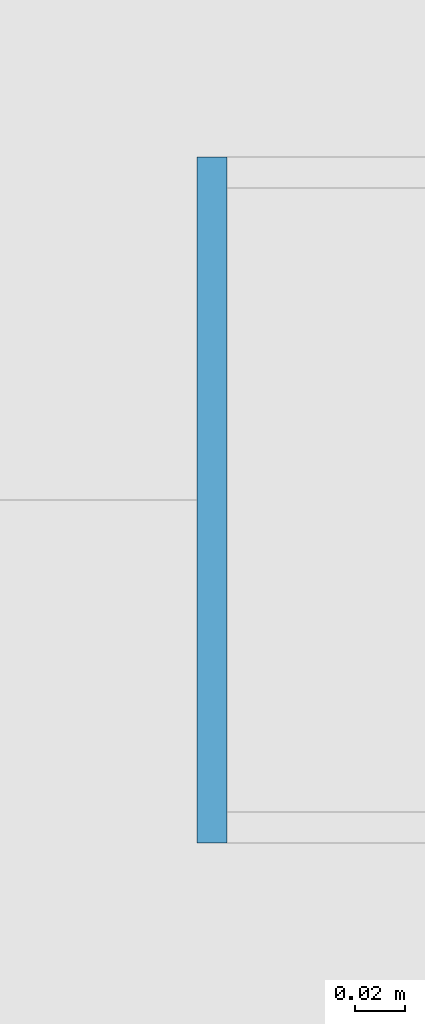
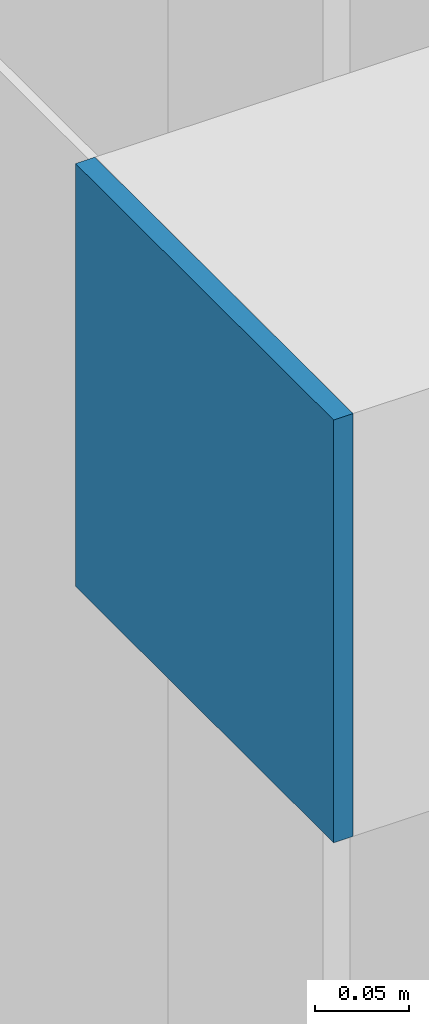
# One storey, part 46 of 58: 1 plate.
"""IFC4 building model written with IfcOpenShell, lengths in metres."""

import ifcopenshell
import ifcopenshell.guid

model = None  # the IFC model being written
_history = None  # IfcOwnerHistory: only IFC2X3 demands one
_inside = {}  # id of a spatial element -> (the spatial element, [elements in it])
_under = {}  # id of a project, library or spatial element -> (it, [spatial elements below it])
_declared = {}  # id of a project -> (the project, [libraries it declares])
_typed = {}  # id of a type object -> (the type object, [elements of that type])
_made_of = {}  # id of a material, layer set ... -> (it, [elements and type objects made of it])


def new_model(schema):
    """Start an empty IFC model of exactly this schema.

    Asked for "IFC4X3", IfcOpenShell would pick the latest addendum, in which some entities
    have other attributes; the version numbers below select the first issue.
    IFC2X3 requires an IfcOwnerHistory on every rooted entity: one is made here for all.
    """
    global model, _history
    if schema == "IFC4X3":
        model = ifcopenshell.file(schema_version=(4, 3, 0, 0))
    else:
        model = ifcopenshell.file(schema=schema)
    _inside.clear()
    _under.clear()
    _declared.clear()
    _typed.clear()
    _made_of.clear()
    _history = None
    if model.schema == "IFC2X3":
        org = make("IfcOrganization", Name="unknown")
        user = make(
            "IfcPersonAndOrganization",
            ThePerson=make("IfcPerson", FamilyName="unknown"),
            TheOrganization=org,
        )
        app = make(
            "IfcApplication",
            ApplicationDeveloper=org,
            Version="unknown",
            ApplicationFullName="unknown",
            ApplicationIdentifier="unknown",
        )
        _history = make(
            "IfcOwnerHistory",
            OwningUser=user,
            OwningApplication=app,
            ChangeAction="ADDED",
            CreationDate=0,
        )
    return model


def make(cls, **values):
    """One entity of the class cls with the attributes given. An attribute that is None is left unset."""
    return model.create_entity(
        cls, **{name: value for name, value in values.items() if value is not None}
    )


def rooted(cls, **values):
    """An entity with a GlobalId (a new one), such as an element, a storey or a relation."""
    return make(cls, GlobalId=ifcopenshell.guid.new(), OwnerHistory=_history, **values)


def si_unit(unit_type, name, prefix=None):
    """IfcSIUnit, for example si_unit("LENGTHUNIT", "METRE", prefix="MILLI")."""
    return make("IfcSIUnit", UnitType=unit_type, Prefix=prefix, Name=name)


def assignment(units):
    """IfcUnitAssignment: the units of a project."""
    return None if units is None else make("IfcUnitAssignment", Units=units)


def point(xyz):
    """IfcCartesianPoint."""
    return None if xyz is None else make("IfcCartesianPoint", Coordinates=xyz)


def direction(xyz):
    """IfcDirection."""
    return None if xyz is None else make("IfcDirection", DirectionRatios=xyz)


def frame(location, z_axis=None, x_axis=None):
    """IfcAxis2Placement3D, a coordinate frame: its origin and axes. An axis left out is left unset."""
    return make(
        "IfcAxis2Placement3D",
        Location=point(location),
        Axis=direction(z_axis),
        RefDirection=direction(x_axis),
    )


def frame_2d(location, x_axis=None):
    """IfcAxis2Placement2D, a coordinate frame in the plane: its origin and x axis."""
    return make(
        "IfcAxis2Placement2D", Location=point(location), RefDirection=direction(x_axis)
    )


def origin():
    """The frame at (0, 0, 0) with its axes left unset."""
    return frame((0.0, 0.0, 0.0))


def origin_2d():
    """The frame at (0, 0) in the plane with its x axis left unset."""
    return frame_2d((0.0, 0.0))


def place(relative_to, where):
    """IfcLocalPlacement: puts the frame where relative to a parent placement (None: the world)."""
    return make(
        "IfcLocalPlacement", PlacementRelTo=relative_to, RelativePlacement=where
    )


def context(
    kind, dimensions, precision=None, world=None, true_north=None, identifier=None
):
    """IfcGeometricRepresentationContext, for example the 3D "Model" context."""
    return make(
        "IfcGeometricRepresentationContext",
        ContextIdentifier=identifier,
        ContextType=kind,
        CoordinateSpaceDimension=dimensions,
        Precision=precision,
        WorldCoordinateSystem=world,
        TrueNorth=true_north,
    )


def subcontext(parent, identifier, kind, view, scale=None):
    """IfcGeometricRepresentationSubContext, for example "Body" below "Model"."""
    return make(
        "IfcGeometricRepresentationSubContext",
        ContextIdentifier=identifier,
        ContextType=kind,
        ParentContext=parent,
        TargetScale=scale,
        TargetView=view,
    )


def project(units=None, contexts=None):
    """IfcProject with its units and contexts."""
    return rooted(
        "IfcProject",
        Name="project",
        RepresentationContexts=contexts,
        UnitsInContext=assignment(units),
    )


def spatial(cls, under=None, at=None, **own):
    """A site, building, storey or space (cls), placed at a placement, below another one or the project."""
    s = rooted(cls, ObjectPlacement=at, **own)
    if under is not None:
        _under.setdefault(under.id(), (under, []))[1].append(s)
    return s


def profile(cls, at=None, kind="AREA", **sizes):
    """A parametric profile (cls). Its sizes go by their IFC names, for example OverallWidth=200.0."""
    return make(cls, ProfileType=kind, Position=at, **sizes)


def rectangle(**sizes):
    """IfcRectangleProfileDef."""
    return profile("IfcRectangleProfileDef", **sizes)


def extrude(swept, where, along, depth):
    """IfcExtrudedAreaSolid: the profile swept, set in the frame where, extruded along a direction by depth."""
    return make(
        "IfcExtrudedAreaSolid",
        SweptArea=swept,
        Position=where,
        ExtrudedDirection=direction(along),
        Depth=depth,
    )


def shape(context_of_items, identifier, shape_type, items):
    """IfcShapeRepresentation: the items that make up one representation, for example the "Body"."""
    return make(
        "IfcShapeRepresentation",
        ContextOfItems=context_of_items,
        RepresentationIdentifier=identifier,
        RepresentationType=shape_type,
        Items=items,
    )


def source(mapping_origin, context_of_items, identifier, shape_type, items):
    """IfcRepresentationMap: a shape defined once, which mapped items show again and again."""
    return make(
        "IfcRepresentationMap",
        MappingOrigin=mapping_origin,
        MappedRepresentation=shape(context_of_items, identifier, shape_type, items),
    )


def transform(
    local_origin,
    x_axis=None,
    y_axis=None,
    z_axis=None,
    scale=None,
    scale2=None,
    scale3=None,
    uniform=True,
):
    """IfcCartesianTransformationOperator3D, or its non-uniform kind. x_axis, y_axis, z_axis: its Axis1, 2, 3."""
    if uniform:
        return make(
            "IfcCartesianTransformationOperator3D",
            Axis1=direction(x_axis),
            Axis2=direction(y_axis),
            LocalOrigin=point(local_origin),
            Scale=scale,
            Axis3=direction(z_axis),
        )
    return make(
        "IfcCartesianTransformationOperator3DnonUniform",
        Axis1=direction(x_axis),
        Axis2=direction(y_axis),
        LocalOrigin=point(local_origin),
        Scale=scale,
        Axis3=direction(z_axis),
        Scale2=scale2,
        Scale3=scale3,
    )


def mapped(mapping_source, mapping_target):
    """IfcMappedItem: shows the shape of a source again, moved by a transform."""
    return make(
        "IfcMappedItem", MappingSource=mapping_source, MappingTarget=mapping_target
    )


def material(Name=None, Category=None):
    """IfcMaterial."""
    return make("IfcMaterial", Name=Name, Category=Category)


def layer(
    of_material, thickness, ventilated=None, Name=None, Category=None, Priority=None
):
    """IfcMaterialLayer: one layer of a wall or slab, of a material (None: an air gap)."""
    return make(
        "IfcMaterialLayer",
        Material=of_material,
        LayerThickness=thickness,
        IsVentilated=ventilated,
        Name=Name,
        Category=Category,
        Priority=Priority,
    )


def layer_set(layers, Name=None):
    """IfcMaterialLayerSet."""
    return make("IfcMaterialLayerSet", MaterialLayers=layers, LayerSetName=Name)


def made_of(thing, what):
    """Note that an element or type object is made of a material, layer set ...; save() writes the relation."""
    if what is not None:
        _made_of.setdefault(what.id(), (what, []))[1].append(thing)
    return thing


def type_object(cls, material=None, **own):
    """A type object (cls), such as IfcWallType, which elements share."""
    return made_of(rooted(cls, **own), material)


def element(
    cls,
    number,
    at=None,
    inside=None,
    cuts=None,
    type_object=None,
    material=None,
    context=None,
    identifier="Body",
    shape_type=None,
    held_by="IfcProductDefinitionShape",
    body=None,
    shapes=None,
    **own,
):
    """One element of the class cls, such as IfcWall. Its Tag is "e" and its number.

    at: its placement. inside: the storey or other place that contains it. cuts: it is an
    opening in that element (IfcRelVoidsElement). A single representation is given by context,
    identifier, shape_type and body (its items); several are given by shapes. held_by: the class
    of the entity that holds the representations. save() writes the other relations.
    """
    e = rooted(cls, Tag="e%d" % number, ObjectPlacement=at, **own)
    if body is not None:
        shapes = [shape(context, identifier, shape_type, body)]
    if shapes is not None:
        e.Representation = make(held_by, Representations=shapes)
    if inside is not None:
        _inside.setdefault(inside.id(), (inside, []))[1].append(e)
    if cuts is not None:
        rooted(
            "IfcRelVoidsElement", RelatingBuildingElement=cuts, RelatedOpeningElement=e
        )
    if type_object is not None:
        _typed.setdefault(type_object.id(), (type_object, []))[1].append(e)
    return made_of(e, material)


def aggregate(whole, parts):
    """IfcRelAggregates: a whole, such as a stair, and the parts it consists of."""
    return rooted("IfcRelAggregates", RelatingObject=whole, RelatedObjects=parts)


def save(model, path):
    """Write the relations noted so far, then the file.

    IfcRelAggregates (storeys below a building ...), IfcRelContainedInSpatialStructure (elements
    in a storey), IfcRelDefinesByType, IfcRelAssociatesMaterial and IfcRelDeclares: one each for
    every whole, place, type object, material and project.
    """
    for whole, parts in _under.values():
        aggregate(whole, parts)
    for where, things in _inside.values():
        rooted(
            "IfcRelContainedInSpatialStructure",
            RelatedElements=things,
            RelatingStructure=where,
        )
    for kind, things in _typed.values():
        rooted("IfcRelDefinesByType", RelatedObjects=things, RelatingType=kind)
    for what, things in _made_of.values():
        rooted("IfcRelAssociatesMaterial", RelatedObjects=things, RelatingMaterial=what)
    for by, libraries in _declared.values():
        rooted("IfcRelDeclares", RelatingContext=by, RelatedDefinitions=libraries)
    model.write(path)


model = new_model("IFC4")

# Units and contexts
model_context = context("Model", 3, precision=1e-05, world=origin(), true_north=direction((0.0, 1.0)))
body_context = subcontext(model_context, "Body", "Model", "MODEL_VIEW")
ifc_project = project(units=[si_unit("LENGTHUNIT", "METRE"), si_unit("AREAUNIT", "SQUARE_METRE"), si_unit("VOLUMEUNIT", "CUBIC_METRE"), si_unit("PLANEANGLEUNIT", "RADIAN"), si_unit("MASSUNIT", "GRAM", prefix="KILO")], contexts=[model_context])

# Site, building, storey
site_placement = place(None, origin())
site = spatial("IfcSite", under=ifc_project, at=site_placement, CompositionType="ELEMENT")
building_placement = place(site_placement, origin())
building = spatial("IfcBuilding", under=site, at=building_placement, Name="Taldren Reach Tower", CompositionType="ELEMENT")
storey_placement = place(building_placement, frame((0.0, 0.0, 32.550048828125)))
storey = spatial("IfcBuildingStorey", under=building, at=storey_placement, Name="L09", CompositionType="ELEMENT", Elevation=32.550048828125)

# Plate
ifc_material = material(Name="Steel Gr 450 (C450L0)", Category="steel")
ifc_layer = layer(ifc_material, 0.011962890625)
ifc_layer_set = layer_set([ifc_layer], Name="Steel Gr 450 (C450L0)")
plate_type = type_object("IfcPlateType", Name="PL-CAP-275", PredefinedType="SHEET", material=ifc_layer_set)
shared_shape = source(origin(), body_context, "Body", "SweptSolid", [
    extrude(rectangle(XDim=0.011962890625, YDim=0.27490234375, at=origin_2d()), origin(), (0.0, 0.0, 1.0), 0.27490234375),
])
plate_placement = place(storey_placement, frame((4.093994140625, 20.0, 2.512451171875), z_axis=(0.0, 0.0, 1.0), x_axis=(1.0, 0.0, 0.0)))
element("IfcPlate", 1, at=plate_placement, inside=storey, type_object=plate_type, Name="Tie strut end cap plate B1-W2 L09", PredefinedType="SHEET", context=body_context, shape_type="MappedRepresentation", body=[
    mapped(shared_shape, transform((0.0, 0.0, 0.0), scale=1.0)),
])

save(model, "model.ifc")
